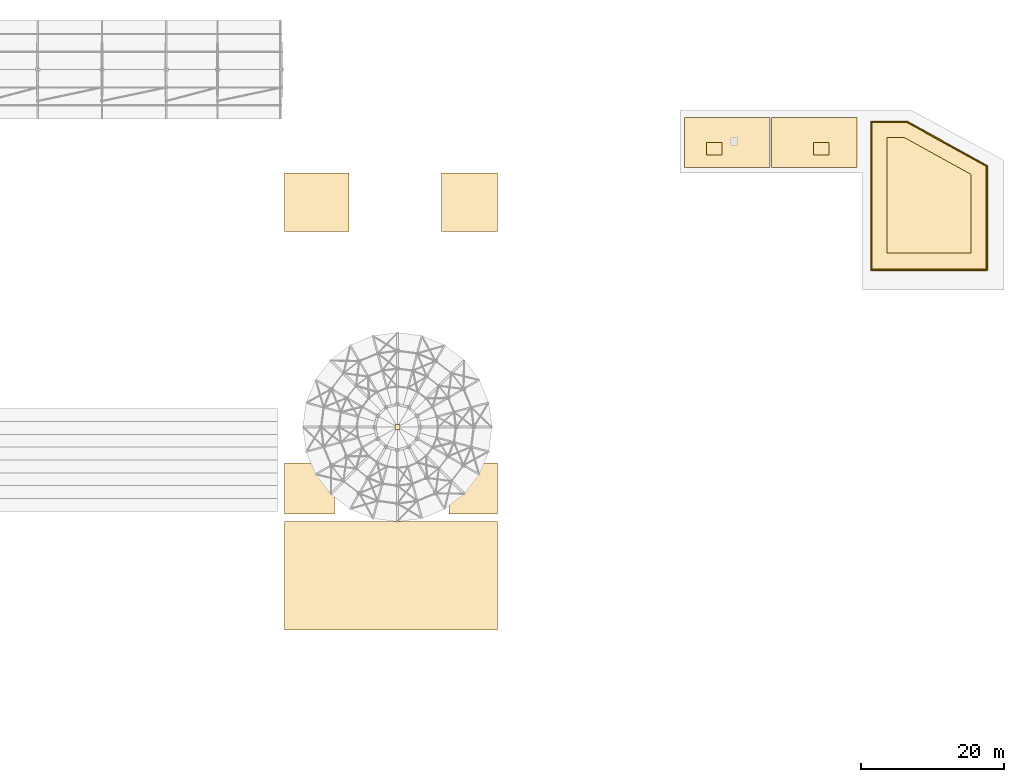
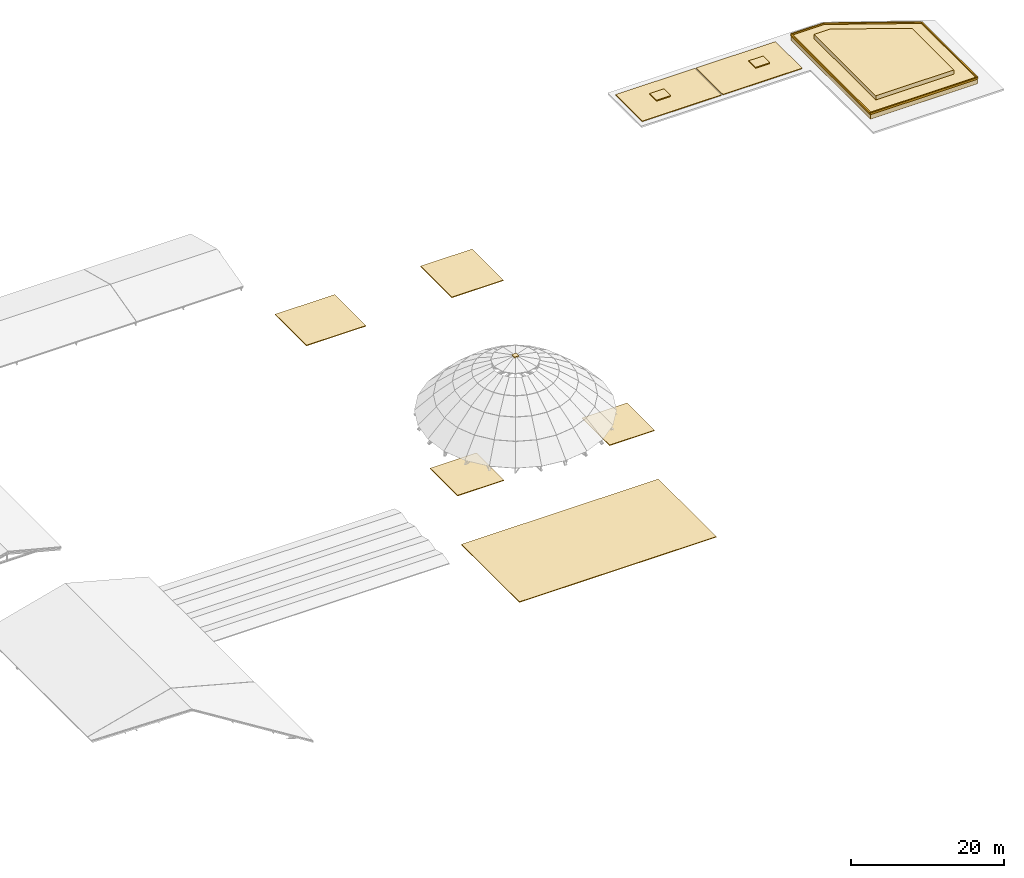
# One storey, part 31 of 31: 17 coverings.
"""IFC4 building model written with IfcOpenShell, lengths in metres."""

from ifc_helpers import new_model, si_unit, direction, frame, frame_2d, origin, place, context, subcontext, project, spatial, polyline, rectangle, outline, extrude, material, layer, layer_set, type_object, element, save


model = new_model("IFC4")

# Units and contexts
model_context = context("Model", 3, precision=1e-05, world=origin(), true_north=direction((0.0, 1.0)))
body_context = subcontext(model_context, "Body", "Model", "MODEL_VIEW")
ifc_project = project(units=[si_unit("LENGTHUNIT", "METRE"), si_unit("AREAUNIT", "SQUARE_METRE"), si_unit("VOLUMEUNIT", "CUBIC_METRE"), si_unit("PLANEANGLEUNIT", "RADIAN"), si_unit("MASSUNIT", "GRAM", prefix="KILO")], contexts=[model_context])

# Site, building, storey
site_placement = place(None, origin())
site = spatial("IfcSite", under=ifc_project, at=site_placement, CompositionType="ELEMENT")
building_placement = place(site_placement, origin())
building = spatial("IfcBuilding", under=site, at=building_placement, Name="Clarverna Civic Hall", CompositionType="ELEMENT")
storey_placement = place(building_placement, frame((0.0, 0.0, 31.199951171875)))
storey = spatial("IfcBuildingStorey", under=building, at=storey_placement, Name="RF", CompositionType="ELEMENT", Elevation=31.199951171875)

# Coverings
ifc_material_1 = material(Name="Montjuic Buff Limestone Ashlar Cladding", Category="masonry")
ifc_layer_1 = layer(ifc_material_1, 0.070068359375)
ifc_layer_set_1 = layer_set([ifc_layer_1], Name="Montjuic Buff Limestone Ashlar Cladding")
covering_type_1 = type_object("IfcCoveringType", Name="CV-CL2", PredefinedType="CLADDING", material=ifc_layer_set_1)
covering_1_placement = place(storey_placement, frame((0.0, 0.0, -0.02001953125)))
element("IfcCovering", 1, at=covering_1_placement, inside=storey, type_object=covering_type_1, Name="CV-CL2-908", PredefinedType="CLADDING", context=body_context, shape_type="SweptSolid", body=[
    extrude(outline(polyline([(149.199951171875, 81.0), (165.39990234375, 81.0), (165.39990234375, 95.60009765625), (154.199951171875, 101.800048828125), (149.199951171875, 101.800048828125), (149.199951171875, 81.0)])), origin(), (0.0, 0.0, 1.0), 0.85009765625),
])
covering_2_placement = place(storey_placement, frame((0.0, 0.0, 0.780029296875)))
element("IfcCovering", 2, at=covering_2_placement, inside=storey, type_object=covering_type_1, Name="CV-CL2-909", PredefinedType="CLADDING", context=body_context, shape_type="SweptSolid", body=[
    extrude(outline(polyline([(151.39990234375, 83.39990234375), (163.199951171875, 83.39990234375), (163.199951171875, 94.39990234375), (153.800048828125, 99.60009765625), (151.39990234375, 99.60009765625), (151.39990234375, 83.39990234375)])), origin(), (0.0, 0.0, 1.0), 0.719970703125),
])
covering_3_placement = place(storey_placement, frame((149.199951171875, 81.0, 0.760009765625), z_axis=(0.0, 0.0, 1.0), x_axis=(1.0, 0.0, 0.0)))
element("IfcCovering", 3, at=covering_3_placement, inside=storey, type_object=covering_type_1, Name="CV-CL2-910", PredefinedType="CLADDING", context=body_context, shape_type="SweptSolid", body=[
    extrude(rectangle(XDim=16.199951171875, YDim=0.179931640625, at=frame_2d((8.10009765625, 0.0))), origin(), (0.0, 0.0, 1.0), 0.280029296875),
])
covering_4_placement = place(storey_placement, frame((165.39990234375, 81.0, 0.760009765625), z_axis=(0.0, 0.0, 1.0), x_axis=(0.0, 1.0, 0.0)))
element("IfcCovering", 4, at=covering_4_placement, inside=storey, type_object=covering_type_1, Name="CV-CL2-911", PredefinedType="CLADDING", context=body_context, shape_type="SweptSolid", body=[
    extrude(rectangle(XDim=14.60009765625, YDim=0.179931640625, at=frame_2d((7.300048828125, 0.0))), origin(), (0.0, 0.0, 1.0), 0.280029296875),
])
covering_5_placement = place(storey_placement, frame((165.39990234375, 95.60009765625, 0.760009765625), z_axis=(0.0, 0.0, 1.0), x_axis=(-0.874893929544, 0.484314579635, 0.0)))
element("IfcCovering", 5, at=covering_5_placement, inside=storey, type_object=covering_type_1, Name="CV-CL2-912", PredefinedType="CLADDING", context=body_context, shape_type="SweptSolid", body=[
    extrude(rectangle(XDim=12.801513671875, YDim=0.179931640625, at=frame_2d((6.40087890625, 0.0))), origin(), (0.0, 0.0, 1.0), 0.280029296875),
])
covering_6_placement = place(storey_placement, frame((154.199951171875, 101.800048828125, 0.760009765625), z_axis=(0.0, 0.0, 1.0), x_axis=(-1.0, 0.0, 0.0)))
element("IfcCovering", 6, at=covering_6_placement, inside=storey, type_object=covering_type_1, Name="CV-CL2-913", PredefinedType="CLADDING", context=body_context, shape_type="SweptSolid", body=[
    extrude(rectangle(XDim=5.0, YDim=0.179931640625, at=frame_2d((2.5, 0.0))), origin(), (0.0, 0.0, 1.0), 0.280029296875),
])
covering_7_placement = place(storey_placement, frame((149.199951171875, 101.800048828125, 0.760009765625), z_axis=(0.0, 0.0, 1.0), x_axis=(0.0, -1.0, 0.0)))
element("IfcCovering", 7, at=covering_7_placement, inside=storey, type_object=covering_type_1, Name="CV-CL2-914", PredefinedType="CLADDING", context=body_context, shape_type="SweptSolid", body=[
    extrude(rectangle(XDim=20.800048828125, YDim=0.179931640625, at=frame_2d((10.39990234375, 0.0))), origin(), (0.0, 0.0, 1.0), 0.280029296875),
])
ifc_material_2 = material(Name="Planted Civic Terrace Vegetated Substrate and Drainage Build-Up")
ifc_layer_2 = layer(ifc_material_2, 0.25)
ifc_layer_set_2 = layer_set([ifc_layer_2], Name="Planted Civic Terrace Vegetated Substrate and Drainage Build-Up")
covering_type_2 = type_object("IfcCoveringType", Name="CV-RF1", PredefinedType="ROOFING", material=ifc_layer_set_2)
covering_8_placement = place(storey_placement, frame((0.0, 0.0, -10.800048828125)))
element("IfcCovering", 8, at=covering_8_placement, inside=storey, type_object=covering_type_2, Name="CV-RF1-011", PredefinedType="ROOFING", context=body_context, shape_type="SweptSolid", body=[
    extrude(outline(polyline([(67.0, 46.800048828125), (74.0, 46.800048828125), (74.0, 54.0), (67.0, 54.0), (67.0, 46.800048828125)])), origin(), (0.0, 0.0, 1.0), 0.1201171875),
])
covering_9_placement = place(storey_placement, frame((0.0, 0.0, -10.800048828125)))
element("IfcCovering", 9, at=covering_9_placement, inside=storey, type_object=covering_type_2, Name="CV-RF1-012", PredefinedType="ROOFING", context=body_context, shape_type="SweptSolid", body=[
    extrude(outline(polyline([(90.0, 46.800048828125), (96.800048828125, 46.800048828125), (96.800048828125, 54.0), (90.0, 54.0), (90.0, 46.800048828125)])), origin(), (0.0, 0.0, 1.0), 0.1201171875),
])
covering_10_placement = place(storey_placement, frame((0.0, 0.0, -10.800048828125)))
element("IfcCovering", 10, at=covering_10_placement, inside=storey, type_object=covering_type_2, Name="CV-RF1-013", PredefinedType="ROOFING", context=body_context, shape_type="SweptSolid", body=[
    extrude(outline(polyline([(67.0, 86.39990234375), (76.0, 86.39990234375), (76.0, 94.60009765625), (67.0, 94.60009765625), (67.0, 86.39990234375)])), origin(), (0.0, 0.0, 1.0), 0.1201171875),
])
covering_11_placement = place(storey_placement, frame((0.0, 0.0, -10.800048828125)))
element("IfcCovering", 11, at=covering_11_placement, inside=storey, type_object=covering_type_2, Name="CV-RF1-014", PredefinedType="ROOFING", context=body_context, shape_type="SweptSolid", body=[
    extrude(outline(polyline([(89.0, 86.39990234375), (96.800048828125, 86.39990234375), (96.800048828125, 94.60009765625), (89.0, 94.60009765625), (89.0, 86.39990234375)])), origin(), (0.0, 0.0, 1.0), 0.1201171875),
])
covering_12_placement = place(storey_placement, frame((0.0, 0.0, -18.0)))
element("IfcCovering", 12, at=covering_12_placement, inside=storey, type_object=covering_type_2, Name="CV-RF1-015", PredefinedType="ROOFING", context=body_context, shape_type="SweptSolid", body=[
    extrude(outline(polyline([(67.0, 30.60009765625), (96.800048828125, 30.60009765625), (96.800048828125, 45.800048828125), (67.0, 45.800048828125), (67.0, 30.60009765625)])), origin(), (0.0, 0.0, 1.0), 0.1201171875),
])
ifc_material_3 = material(Name="EPDM Waterproofing Membrane and PIR Roof Insulation")
ifc_layer_3 = layer(ifc_material_3, 0.1201171875)
ifc_layer_set_3 = layer_set([ifc_layer_3], Name="EPDM Waterproofing Membrane and PIR Roof Insulation")
covering_type_3 = type_object("IfcCoveringType", Name="CV-RF2", PredefinedType="ROOFING", material=ifc_layer_set_3)
covering_13_placement = place(storey_placement, origin())
element("IfcCovering", 13, at=covering_13_placement, inside=storey, type_object=covering_type_3, Name="CV-RF2-001", PredefinedType="ROOFING", context=body_context, shape_type="SweptSolid", body=[
    extrude(outline(polyline([(123.0, 95.39990234375), (135.0, 95.39990234375), (135.0, 102.39990234375), (123.0, 102.39990234375), (123.0, 95.39990234375)])), origin(), (0.0, 0.0, 1.0), 0.1201171875),
])
covering_14_placement = place(storey_placement, origin())
element("IfcCovering", 14, at=covering_14_placement, inside=storey, type_object=covering_type_3, Name="CV-RF2-002", PredefinedType="ROOFING", context=body_context, shape_type="SweptSolid", body=[
    extrude(outline(polyline([(135.199951171875, 95.39990234375), (147.199951171875, 95.39990234375), (147.199951171875, 102.39990234375), (135.199951171875, 102.39990234375), (135.199951171875, 95.39990234375)])), origin(), (0.0, 0.0, 1.0), 0.1201171875),
])
covering_15_placement = place(storey_placement, frame((0.0, 0.0, -1.3798828125)))
element("IfcCovering", 15, at=covering_15_placement, inside=storey, type_object=covering_type_3, Name="CV-RF2-003", PredefinedType="ROOFING", context=body_context, shape_type="SweptSolid", body=[
    extrude(outline(polyline([(82.449951171875, 58.64990234375), (83.14990234375, 58.64990234375), (83.14990234375, 59.35009765625), (82.449951171875, 59.35009765625), (82.449951171875, 58.64990234375)])), origin(), (0.0, 0.0, 1.0), 0.219970703125),
])
covering_16_placement = place(storey_placement, frame((0.0, 0.0, 1.16015625)))
element("IfcCovering", 16, at=covering_16_placement, inside=storey, type_object=covering_type_3, Name="CV-RF2-009", PredefinedType="ROOFING", context=body_context, shape_type="SweptSolid", body=[
    extrude(outline(polyline([(126.1201171875, 97.1201171875), (128.280029296875, 97.1201171875), (128.280029296875, 98.8798828125), (126.1201171875, 98.8798828125), (126.1201171875, 97.1201171875)])), origin(), (0.0, 0.0, 1.0), 0.159912109375),
])
covering_17_placement = place(storey_placement, frame((0.0, 0.0, 1.16015625)))
element("IfcCovering", 17, at=covering_17_placement, inside=storey, type_object=covering_type_3, Name="CV-RF2-010", PredefinedType="ROOFING", context=body_context, shape_type="SweptSolid", body=[
    extrude(outline(polyline([(141.1201171875, 97.1201171875), (143.280029296875, 97.1201171875), (143.280029296875, 98.8798828125), (141.1201171875, 98.8798828125), (141.1201171875, 97.1201171875)])), origin(), (0.0, 0.0, 1.0), 0.159912109375),
])

save(model, "model.ifc")
